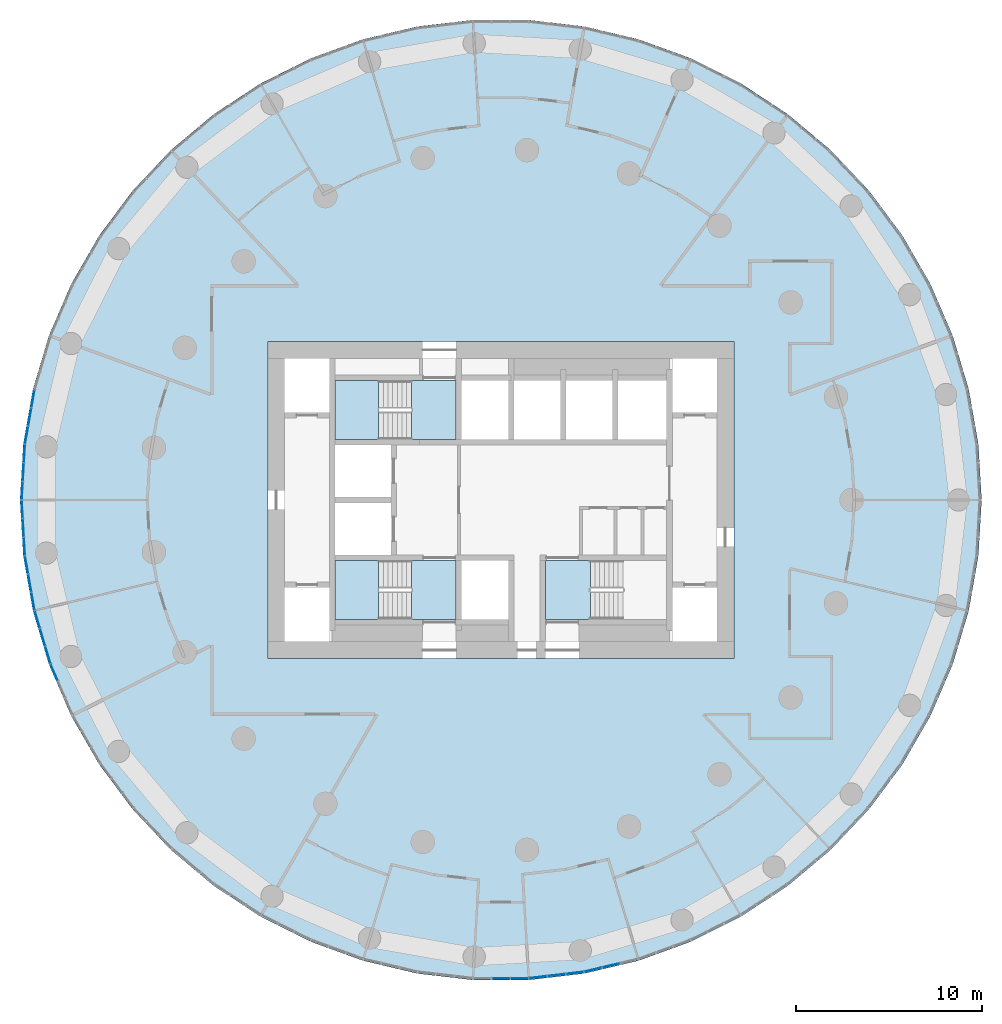
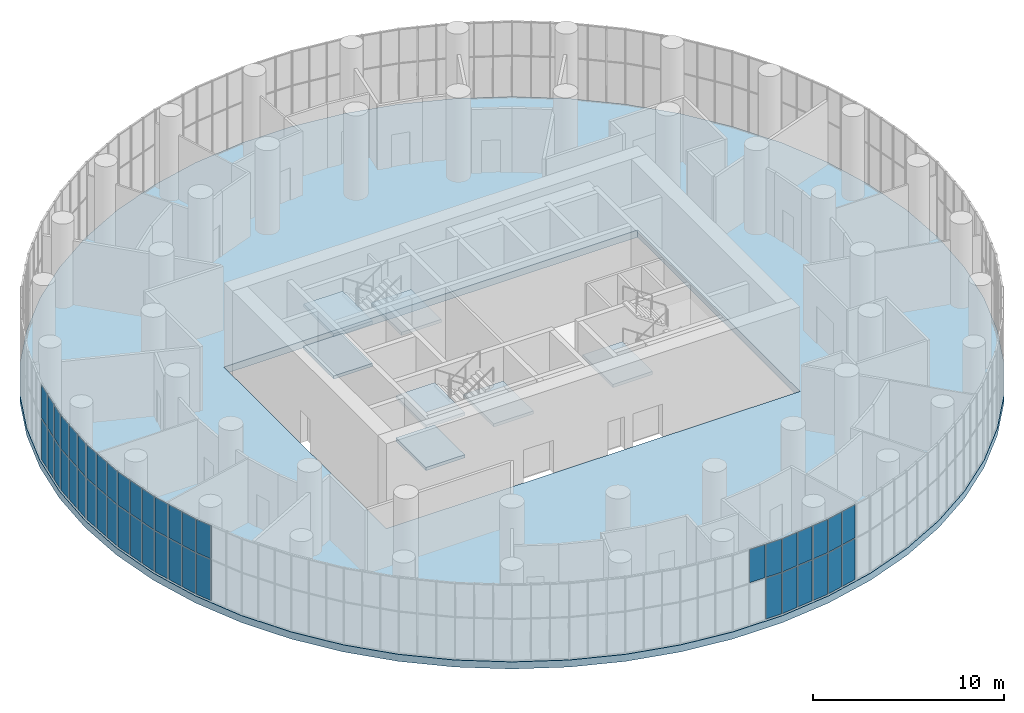
# One storey, part 11 of 21: 45 plates, 8 slabs, 12 elements without a shape of their own.
"""IFC4 building model written with IfcOpenShell, lengths in metres."""

from ifc_helpers import new_model, si_unit, direction, frame, origin, origin_2d, place, context, subcontext, project, spatial, polyline, rectangle, outline, extrude, material, layer, layer_set, type_object, element, aggregate, save


model = new_model("IFC4")

# Units and contexts
model_context = context("Model", 3, precision=1e-05, world=origin(), true_north=direction((0.0, 1.0)))
body_context = subcontext(model_context, "Body", "Model", "MODEL_VIEW")
ifc_project = project(units=[si_unit("LENGTHUNIT", "METRE"), si_unit("AREAUNIT", "SQUARE_METRE"), si_unit("VOLUMEUNIT", "CUBIC_METRE"), si_unit("PLANEANGLEUNIT", "RADIAN"), si_unit("MASSUNIT", "GRAM", prefix="KILO")], contexts=[model_context])

# Site, building, storey
site_placement = place(None, origin())
site = spatial("IfcSite", under=ifc_project, at=site_placement, CompositionType="ELEMENT")
building_placement = place(site_placement, origin())
building = spatial("IfcBuilding", under=site, at=building_placement, Name="Tracery Tower", CompositionType="ELEMENT")
storey_placement = place(building_placement, frame((0.0, 0.0, 219.60009765625)))
storey = spatial("IfcBuildingStorey", under=building, at=storey_placement, Name="L57", CompositionType="ELEMENT", Elevation=219.60009765625)

# Slab
ifc_material_1 = material(Name="Concrete C50/60", Category="concrete")
ifc_layer_1 = layer(ifc_material_1, 0.449951171875)
ifc_layer_set_1 = layer_set([ifc_layer_1], Name="Floor slab 450")
slab_type_1 = type_object("IfcSlabType", Name="Floor slab 450", PredefinedType="FLOOR", material=ifc_layer_set_1)
slab_1_placement = place(storey_placement, frame((0.0, 0.0, -0.4501953125)))
element("IfcSlab", 1, at=slab_1_placement, inside=storey, type_object=slab_type_1, Name="Floor slab L57", PredefinedType="FLOOR", context=body_context, shape_type="SweptSolid", body=[
    extrude(outline(polyline([(25.797607421875, 0.0), (25.623291015625, 2.994873046875), (25.102294921875, 5.949462890625), (24.241943359375, 8.8232421875), (23.0537109375, 11.577880859375), (21.5537109375, 14.176025390625), (19.76220703125, 16.58251953125), (17.70361328125, 18.7646484375), (15.4052734375, 20.69287109375), (12.89892578125, 22.341552734375), (10.218017578125, 23.68798828125), (7.39892578125, 24.7138671875), (4.479736328125, 25.40576171875), (1.5, 25.754150390625), (-1.5, 25.754150390625), (-4.479736328125, 25.40576171875), (-7.39892578125, 24.7138671875), (-10.218017578125, 23.68798828125), (-12.898681640625, 22.341552734375), (-15.4052734375, 20.69287109375), (-17.70361328125, 18.7646484375), (-19.76220703125, 16.58251953125), (-21.5537109375, 14.176025390625), (-23.0537109375, 11.577880859375), (-24.241943359375, 8.8232421875), (-25.102294921875, 5.949462890625), (-25.623291015625, 2.994873046875), (-25.797607421875, 0.0), (-25.623291015625, -2.994873046875), (-25.102294921875, -5.949462890625), (-24.241943359375, -8.8232421875), (-23.0537109375, -11.577880859375), (-21.5537109375, -14.176025390625), (-19.76220703125, -16.58251953125), (-17.70361328125, -18.7646484375), (-15.4052734375, -20.69287109375), (-12.89892578125, -22.341552734375), (-10.218017578125, -23.68798828125), (-7.39892578125, -24.7138671875), (-4.479736328125, -25.40576171875), (-1.5, -25.754150390625), (1.5, -25.754150390625), (4.479736328125, -25.40576171875), (7.39892578125, -24.7138671875), (10.218017578125, -23.68798828125), (12.89892578125, -22.341552734375), (15.4052734375, -20.69287109375), (17.70361328125, -18.7646484375), (19.76220703125, -16.58251953125), (21.5537109375, -14.176025390625), (23.0537109375, -11.577880859375), (24.241943359375, -8.8232421875), (25.102294921875, -5.949462890625), (25.623291015625, -2.994873046875), (25.797607421875, 0.0)]), holes=[polyline([(-12.5, -8.5), (12.5, -8.5), (12.5, 8.5), (-12.5, 8.5), (-12.5, -8.5)])]), origin(), (0.0, 0.0, 1.0), 0.4501953125),
])

# Curtain wall, plates
ifc_material_2 = material(Name="Aluminium curtain wall with tinted glass", Category="aluminium")
ifc_layer_2 = layer(ifc_material_2, 0.159912109375)
ifc_layer_set_2 = layer_set([ifc_layer_2], Name="Sky lounge 2 tracery curtain wall")
curtain_wall_type = type_object("IfcCurtainWallType", Name="Sky lounge 2 tracery curtain wall", PredefinedType="NOTDEFINED", material=ifc_layer_set_2)
curtain_wall_1_placement = place(storey_placement, origin())
curtain_wall_1 = element("IfcCurtainWall", 2, at=curtain_wall_1_placement, inside=storey, type_object=curtain_wall_type, Name="Sky lounge 2 curtain wall run 26", PredefinedType="NOTDEFINED")
ifc_material_3 = material(Name="Tinted laminated glass", Category="glass")
ifc_layer_3 = layer(ifc_material_3, 0.028076171875)
ifc_layer_set_3 = layer_set([ifc_layer_3], Name="Sky lounge 2 glass panel 28")
plate_type = type_object("IfcPlateType", Name="Sky lounge 2 glass panel 28", PredefinedType="CURTAIN_PANEL", material=ifc_layer_set_3)
plate_1_placement = place(storey_placement, frame((-25.10107421875, 5.43798828125, 0.06005859375), z_axis=(0.0, 0.0, 1.0), x_axis=(-0.173648177667, -0.984807753012, 0.0)))
plate_1 = element("IfcPlate", 3, at=plate_1_placement, type_object=plate_type, Name="Sky lounge 2 curtain wall run 26 glass panel 1", PredefinedType="CURTAIN_PANEL", context=body_context, shape_type="SweptSolid", body=[
    extrude(rectangle(XDim=0.9365234375, YDim=0.028076171875, at=origin_2d()), origin(), (0.0, 0.0, 1.0), 2.610107421875),
])
plate_2_placement = place(storey_placement, frame((-25.10107421875, 5.43798828125, 2.72998046875), z_axis=(0.0, 0.0, 1.0), x_axis=(-0.173648177667, -0.984807753012, 0.0)))
plate_2 = element("IfcPlate", 4, at=plate_2_placement, type_object=plate_type, Name="Sky lounge 2 curtain wall run 26 glass panel 2", PredefinedType="CURTAIN_PANEL", context=body_context, shape_type="SweptSolid", body=[
    extrude(rectangle(XDim=0.9365234375, YDim=0.028076171875, at=origin_2d()), origin(), (0.0, 0.0, 1.0), 2.110107421875),
])
plate_3_placement = place(storey_placement, frame((-25.274169921875, 4.45654296875, 0.06005859375), z_axis=(0.0, 0.0, 1.0), x_axis=(-0.173648177667, -0.984807753012, 0.0)))
plate_3 = element("IfcPlate", 5, at=plate_3_placement, type_object=plate_type, Name="Sky lounge 2 curtain wall run 26 glass panel 3", PredefinedType="CURTAIN_PANEL", context=body_context, shape_type="SweptSolid", body=[
    extrude(rectangle(XDim=0.9365234375, YDim=0.028076171875, at=origin_2d()), origin(), (0.0, 0.0, 1.0), 2.610107421875),
])
plate_4_placement = place(storey_placement, frame((-25.274169921875, 4.45654296875, 2.72998046875), z_axis=(0.0, 0.0, 1.0), x_axis=(-0.173648177667, -0.984807753012, 0.0)))
plate_4 = element("IfcPlate", 6, at=plate_4_placement, type_object=plate_type, Name="Sky lounge 2 curtain wall run 26 glass panel 4", PredefinedType="CURTAIN_PANEL", context=body_context, shape_type="SweptSolid", body=[
    extrude(rectangle(XDim=0.9365234375, YDim=0.028076171875, at=origin_2d()), origin(), (0.0, 0.0, 1.0), 2.110107421875),
])
plate_5_placement = place(storey_placement, frame((-25.447265625, 3.47509765625, 0.06005859375), z_axis=(0.0, 0.0, 1.0), x_axis=(-0.173648177667, -0.984807753012, 0.0)))
plate_5 = element("IfcPlate", 7, at=plate_5_placement, type_object=plate_type, Name="Sky lounge 2 curtain wall run 26 glass panel 5", PredefinedType="CURTAIN_PANEL", context=body_context, shape_type="SweptSolid", body=[
    extrude(rectangle(XDim=0.9365234375, YDim=0.028076171875, at=origin_2d()), origin(), (0.0, 0.0, 1.0), 2.610107421875),
])
plate_6_placement = place(storey_placement, frame((-25.447265625, 3.47509765625, 2.72998046875), z_axis=(0.0, 0.0, 1.0), x_axis=(-0.173648177667, -0.984807753012, 0.0)))
plate_6 = element("IfcPlate", 8, at=plate_6_placement, type_object=plate_type, Name="Sky lounge 2 curtain wall run 26 glass panel 6", PredefinedType="CURTAIN_PANEL", context=body_context, shape_type="SweptSolid", body=[
    extrude(rectangle(XDim=0.9365234375, YDim=0.028076171875, at=origin_2d()), origin(), (0.0, 0.0, 1.0), 2.110107421875),
])
aggregate(curtain_wall_1, [plate_1, plate_2, plate_3, plate_4, plate_5, plate_6])

curtain_wall_2_placement = place(storey_placement, origin())
curtain_wall_2 = element("IfcCurtainWall", 9, at=curtain_wall_2_placement, inside=storey, type_object=curtain_wall_type, Name="Sky lounge 2 curtain wall run 27", PredefinedType="NOTDEFINED")
plate_7_placement = place(storey_placement, frame((-25.562744140625, 2.487060546875, 0.06005859375), z_axis=(0.0, 0.0, 1.0), x_axis=(-0.058144828905, -0.998308158272, 0.0)))
plate_7 = element("IfcPlate", 10, at=plate_7_placement, type_object=plate_type, Name="Sky lounge 2 curtain wall run 27 glass panel 1", PredefinedType="CURTAIN_PANEL", context=body_context, shape_type="SweptSolid", body=[
    extrude(rectangle(XDim=0.9365234375, YDim=0.028076171875, at=origin_2d()), origin(), (0.0, 0.0, 1.0), 2.610107421875),
])
plate_8_placement = place(storey_placement, frame((-25.562744140625, 2.487060546875, 2.72998046875), z_axis=(0.0, 0.0, 1.0), x_axis=(-0.058144828905, -0.998308158272, 0.0)))
plate_8 = element("IfcPlate", 11, at=plate_8_placement, type_object=plate_type, Name="Sky lounge 2 curtain wall run 27 glass panel 2", PredefinedType="CURTAIN_PANEL", context=body_context, shape_type="SweptSolid", body=[
    extrude(rectangle(XDim=0.9365234375, YDim=0.028076171875, at=origin_2d()), origin(), (0.0, 0.0, 1.0), 2.110107421875),
])
plate_9_placement = place(storey_placement, frame((-25.62060546875, 1.4921875, 0.06005859375), z_axis=(0.0, 0.0, 1.0), x_axis=(-0.058144828905, -0.998308158272, 0.0)))
plate_9 = element("IfcPlate", 12, at=plate_9_placement, type_object=plate_type, Name="Sky lounge 2 curtain wall run 27 glass panel 3", PredefinedType="CURTAIN_PANEL", context=body_context, shape_type="SweptSolid", body=[
    extrude(rectangle(XDim=0.9365234375, YDim=0.028076171875, at=origin_2d()), origin(), (0.0, 0.0, 1.0), 2.610107421875),
])
plate_10_placement = place(storey_placement, frame((-25.62060546875, 1.4921875, 2.72998046875), z_axis=(0.0, 0.0, 1.0), x_axis=(-0.058144828905, -0.998308158272, 0.0)))
plate_10 = element("IfcPlate", 13, at=plate_10_placement, type_object=plate_type, Name="Sky lounge 2 curtain wall run 27 glass panel 4", PredefinedType="CURTAIN_PANEL", context=body_context, shape_type="SweptSolid", body=[
    extrude(rectangle(XDim=0.9365234375, YDim=0.028076171875, at=origin_2d()), origin(), (0.0, 0.0, 1.0), 2.110107421875),
])
plate_11_placement = place(storey_placement, frame((-25.678466796875, 0.497314453125, 0.06005859375), z_axis=(0.0, 0.0, 1.0), x_axis=(-0.058144828905, -0.998308158272, 0.0)))
plate_11 = element("IfcPlate", 14, at=plate_11_placement, type_object=plate_type, Name="Sky lounge 2 curtain wall run 27 glass panel 5", PredefinedType="CURTAIN_PANEL", context=body_context, shape_type="SweptSolid", body=[
    extrude(rectangle(XDim=0.9365234375, YDim=0.028076171875, at=origin_2d()), origin(), (0.0, 0.0, 1.0), 2.610107421875),
])
plate_12_placement = place(storey_placement, frame((-25.678466796875, 0.497314453125, 2.72998046875), z_axis=(0.0, 0.0, 1.0), x_axis=(-0.058144828905, -0.998308158272, 0.0)))
plate_12 = element("IfcPlate", 15, at=plate_12_placement, type_object=plate_type, Name="Sky lounge 2 curtain wall run 27 glass panel 6", PredefinedType="CURTAIN_PANEL", context=body_context, shape_type="SweptSolid", body=[
    extrude(rectangle(XDim=0.9365234375, YDim=0.028076171875, at=origin_2d()), origin(), (0.0, 0.0, 1.0), 2.110107421875),
])
aggregate(curtain_wall_2, [plate_7, plate_8, plate_9, plate_10, plate_11, plate_12])

curtain_wall_3_placement = place(storey_placement, origin())
curtain_wall_3 = element("IfcCurtainWall", 16, at=curtain_wall_3_placement, inside=storey, type_object=curtain_wall_type, Name="Sky lounge 2 curtain wall run 28", PredefinedType="NOTDEFINED")
plate_13_placement = place(storey_placement, frame((-25.678466796875, -0.497314453125, 0.06005859375), z_axis=(0.0, 0.0, 1.0), x_axis=(0.058144828905, -0.998308158272, 0.0)))
plate_13 = element("IfcPlate", 17, at=plate_13_placement, type_object=plate_type, Name="Sky lounge 2 curtain wall run 28 glass panel 1", PredefinedType="CURTAIN_PANEL", context=body_context, shape_type="SweptSolid", body=[
    extrude(rectangle(XDim=0.9365234375, YDim=0.028076171875, at=origin_2d()), origin(), (0.0, 0.0, 1.0), 2.610107421875),
])
plate_14_placement = place(storey_placement, frame((-25.678466796875, -0.497314453125, 2.72998046875), z_axis=(0.0, 0.0, 1.0), x_axis=(0.058144828905, -0.998308158272, 0.0)))
plate_14 = element("IfcPlate", 18, at=plate_14_placement, type_object=plate_type, Name="Sky lounge 2 curtain wall run 28 glass panel 2", PredefinedType="CURTAIN_PANEL", context=body_context, shape_type="SweptSolid", body=[
    extrude(rectangle(XDim=0.9365234375, YDim=0.028076171875, at=origin_2d()), origin(), (0.0, 0.0, 1.0), 2.110107421875),
])
plate_15_placement = place(storey_placement, frame((-25.62060546875, -1.4921875, 0.06005859375), z_axis=(0.0, 0.0, 1.0), x_axis=(0.058144828905, -0.998308158272, 0.0)))
plate_15 = element("IfcPlate", 19, at=plate_15_placement, type_object=plate_type, Name="Sky lounge 2 curtain wall run 28 glass panel 3", PredefinedType="CURTAIN_PANEL", context=body_context, shape_type="SweptSolid", body=[
    extrude(rectangle(XDim=0.9365234375, YDim=0.028076171875, at=origin_2d()), origin(), (0.0, 0.0, 1.0), 2.610107421875),
])
plate_16_placement = place(storey_placement, frame((-25.62060546875, -1.4921875, 2.72998046875), z_axis=(0.0, 0.0, 1.0), x_axis=(0.058144828905, -0.998308158272, 0.0)))
plate_16 = element("IfcPlate", 20, at=plate_16_placement, type_object=plate_type, Name="Sky lounge 2 curtain wall run 28 glass panel 4", PredefinedType="CURTAIN_PANEL", context=body_context, shape_type="SweptSolid", body=[
    extrude(rectangle(XDim=0.9365234375, YDim=0.028076171875, at=origin_2d()), origin(), (0.0, 0.0, 1.0), 2.110107421875),
])
plate_17_placement = place(storey_placement, frame((-25.562744140625, -2.487060546875, 0.06005859375), z_axis=(0.0, 0.0, 1.0), x_axis=(0.058144828905, -0.998308158272, 0.0)))
plate_17 = element("IfcPlate", 21, at=plate_17_placement, type_object=plate_type, Name="Sky lounge 2 curtain wall run 28 glass panel 5", PredefinedType="CURTAIN_PANEL", context=body_context, shape_type="SweptSolid", body=[
    extrude(rectangle(XDim=0.9365234375, YDim=0.028076171875, at=origin_2d()), origin(), (0.0, 0.0, 1.0), 2.610107421875),
])
plate_18_placement = place(storey_placement, frame((-25.562744140625, -2.487060546875, 2.72998046875), z_axis=(0.0, 0.0, 1.0), x_axis=(0.058144828905, -0.998308158272, 0.0)))
plate_18 = element("IfcPlate", 22, at=plate_18_placement, type_object=plate_type, Name="Sky lounge 2 curtain wall run 28 glass panel 6", PredefinedType="CURTAIN_PANEL", context=body_context, shape_type="SweptSolid", body=[
    extrude(rectangle(XDim=0.9365234375, YDim=0.028076171875, at=origin_2d()), origin(), (0.0, 0.0, 1.0), 2.110107421875),
])
aggregate(curtain_wall_3, [plate_13, plate_14, plate_15, plate_16, plate_17, plate_18])

curtain_wall_4_placement = place(storey_placement, origin())
curtain_wall_4 = element("IfcCurtainWall", 23, at=curtain_wall_4_placement, inside=storey, type_object=curtain_wall_type, Name="Sky lounge 2 curtain wall run 29", PredefinedType="NOTDEFINED")
plate_19_placement = place(storey_placement, frame((-25.447265625, -3.47509765625, 0.06005859375), z_axis=(0.0, 0.0, 1.0), x_axis=(0.173648177667, -0.984807753012, 0.0)))
plate_19 = element("IfcPlate", 24, at=plate_19_placement, type_object=plate_type, Name="Sky lounge 2 curtain wall run 29 glass panel 1", PredefinedType="CURTAIN_PANEL", context=body_context, shape_type="SweptSolid", body=[
    extrude(rectangle(XDim=0.9365234375, YDim=0.028076171875, at=origin_2d()), origin(), (0.0, 0.0, 1.0), 2.610107421875),
])
plate_20_placement = place(storey_placement, frame((-25.447265625, -3.47509765625, 2.72998046875), z_axis=(0.0, 0.0, 1.0), x_axis=(0.173648177667, -0.984807753012, 0.0)))
plate_20 = element("IfcPlate", 25, at=plate_20_placement, type_object=plate_type, Name="Sky lounge 2 curtain wall run 29 glass panel 2", PredefinedType="CURTAIN_PANEL", context=body_context, shape_type="SweptSolid", body=[
    extrude(rectangle(XDim=0.9365234375, YDim=0.028076171875, at=origin_2d()), origin(), (0.0, 0.0, 1.0), 2.110107421875),
])
plate_21_placement = place(storey_placement, frame((-25.274169921875, -4.45654296875, 0.06005859375), z_axis=(0.0, 0.0, 1.0), x_axis=(0.173648177667, -0.984807753012, 0.0)))
plate_21 = element("IfcPlate", 26, at=plate_21_placement, type_object=plate_type, Name="Sky lounge 2 curtain wall run 29 glass panel 3", PredefinedType="CURTAIN_PANEL", context=body_context, shape_type="SweptSolid", body=[
    extrude(rectangle(XDim=0.9365234375, YDim=0.028076171875, at=origin_2d()), origin(), (0.0, 0.0, 1.0), 2.610107421875),
])
plate_22_placement = place(storey_placement, frame((-25.274169921875, -4.45654296875, 2.72998046875), z_axis=(0.0, 0.0, 1.0), x_axis=(0.173648177667, -0.984807753012, 0.0)))
plate_22 = element("IfcPlate", 27, at=plate_22_placement, type_object=plate_type, Name="Sky lounge 2 curtain wall run 29 glass panel 4", PredefinedType="CURTAIN_PANEL", context=body_context, shape_type="SweptSolid", body=[
    extrude(rectangle(XDim=0.9365234375, YDim=0.028076171875, at=origin_2d()), origin(), (0.0, 0.0, 1.0), 2.110107421875),
])
plate_23_placement = place(storey_placement, frame((-25.10107421875, -5.43798828125, 0.06005859375), z_axis=(0.0, 0.0, 1.0), x_axis=(0.173648177667, -0.984807753012, 0.0)))
plate_23 = element("IfcPlate", 28, at=plate_23_placement, type_object=plate_type, Name="Sky lounge 2 curtain wall run 29 glass panel 5", PredefinedType="CURTAIN_PANEL", context=body_context, shape_type="SweptSolid", body=[
    extrude(rectangle(XDim=0.9365234375, YDim=0.028076171875, at=origin_2d()), origin(), (0.0, 0.0, 1.0), 2.610107421875),
])
plate_24_placement = place(storey_placement, frame((-25.10107421875, -5.43798828125, 2.72998046875), z_axis=(0.0, 0.0, 1.0), x_axis=(0.173648177667, -0.984807753012, 0.0)))
plate_24 = element("IfcPlate", 29, at=plate_24_placement, type_object=plate_type, Name="Sky lounge 2 curtain wall run 29 glass panel 6", PredefinedType="CURTAIN_PANEL", context=body_context, shape_type="SweptSolid", body=[
    extrude(rectangle(XDim=0.9365234375, YDim=0.028076171875, at=origin_2d()), origin(), (0.0, 0.0, 1.0), 2.110107421875),
])
aggregate(curtain_wall_4, [plate_19, plate_20, plate_21, plate_22, plate_23, plate_24])

curtain_wall_5_placement = place(storey_placement, origin())
curtain_wall_5 = element("IfcCurtainWall", 30, at=curtain_wall_5_placement, inside=storey, type_object=curtain_wall_type, Name="Sky lounge 2 curtain wall run 30", PredefinedType="NOTDEFINED")
plate_25_placement = place(storey_placement, frame((-24.87158203125, -6.406005859375, 0.06005859375), z_axis=(0.0, 0.0, 1.0), x_axis=(0.286803232717, -0.957989512314, 0.0)))
plate_25 = element("IfcPlate", 31, at=plate_25_placement, type_object=plate_type, Name="Sky lounge 2 curtain wall run 30 glass panel 1", PredefinedType="CURTAIN_PANEL", context=body_context, shape_type="SweptSolid", body=[
    extrude(rectangle(XDim=0.9365234375, YDim=0.028076171875, at=origin_2d()), origin(), (0.0, 0.0, 1.0), 2.610107421875),
])
plate_26_placement = place(storey_placement, frame((-24.87158203125, -6.406005859375, 2.72998046875), z_axis=(0.0, 0.0, 1.0), x_axis=(0.286803232717, -0.957989512314, 0.0)))
plate_26 = element("IfcPlate", 32, at=plate_26_placement, type_object=plate_type, Name="Sky lounge 2 curtain wall run 30 glass panel 2", PredefinedType="CURTAIN_PANEL", context=body_context, shape_type="SweptSolid", body=[
    extrude(rectangle(XDim=0.9365234375, YDim=0.028076171875, at=origin_2d()), origin(), (0.0, 0.0, 1.0), 2.110107421875),
])
plate_27_placement = place(storey_placement, frame((-24.5859375, -7.360595703125, 0.06005859375), z_axis=(0.0, 0.0, 1.0), x_axis=(0.286803232717, -0.957989512314, 0.0)))
plate_27 = element("IfcPlate", 33, at=plate_27_placement, type_object=plate_type, Name="Sky lounge 2 curtain wall run 30 glass panel 3", PredefinedType="CURTAIN_PANEL", context=body_context, shape_type="SweptSolid", body=[
    extrude(rectangle(XDim=0.9365234375, YDim=0.028076171875, at=origin_2d()), origin(), (0.0, 0.0, 1.0), 2.610107421875),
])
plate_28_placement = place(storey_placement, frame((-24.5859375, -7.360595703125, 2.72998046875), z_axis=(0.0, 0.0, 1.0), x_axis=(0.286803232717, -0.957989512314, 0.0)))
plate_28 = element("IfcPlate", 34, at=plate_28_placement, type_object=plate_type, Name="Sky lounge 2 curtain wall run 30 glass panel 4", PredefinedType="CURTAIN_PANEL", context=body_context, shape_type="SweptSolid", body=[
    extrude(rectangle(XDim=0.9365234375, YDim=0.028076171875, at=origin_2d()), origin(), (0.0, 0.0, 1.0), 2.110107421875),
])
plate_29_placement = place(storey_placement, frame((-24.300048828125, -8.315185546875, 0.06005859375), z_axis=(0.0, 0.0, 1.0), x_axis=(0.286803232717, -0.957989512314, 0.0)))
plate_29 = element("IfcPlate", 35, at=plate_29_placement, type_object=plate_type, Name="Sky lounge 2 curtain wall run 30 glass panel 5", PredefinedType="CURTAIN_PANEL", context=body_context, shape_type="SweptSolid", body=[
    extrude(rectangle(XDim=0.9365234375, YDim=0.028076171875, at=origin_2d()), origin(), (0.0, 0.0, 1.0), 2.610107421875),
])
plate_30_placement = place(storey_placement, frame((-24.300048828125, -8.315185546875, 2.72998046875), z_axis=(0.0, 0.0, 1.0), x_axis=(0.286803232717, -0.957989512314, 0.0)))
plate_30 = element("IfcPlate", 36, at=plate_30_placement, type_object=plate_type, Name="Sky lounge 2 curtain wall run 30 glass panel 6", PredefinedType="CURTAIN_PANEL", context=body_context, shape_type="SweptSolid", body=[
    extrude(rectangle(XDim=0.9365234375, YDim=0.028076171875, at=origin_2d()), origin(), (0.0, 0.0, 1.0), 2.110107421875),
])
aggregate(curtain_wall_5, [plate_25, plate_26, plate_27, plate_28, plate_29, plate_30])

curtain_wall_6_placement = place(storey_placement, origin())
curtain_wall_6 = element("IfcCurtainWall", 37, at=curtain_wall_6_placement, inside=storey, type_object=curtain_wall_type, Name="Sky lounge 2 curtain wall run 31", PredefinedType="NOTDEFINED")
plate_31_placement = place(storey_placement, frame((-23.9599609375, -9.25, 0.06005859375), z_axis=(0.0, 0.0, 1.0), x_axis=(0.396079766034, -0.918216106883, 0.0)))
plate_31 = element("IfcPlate", 38, at=plate_31_placement, type_object=plate_type, Name="Sky lounge 2 curtain wall run 31 glass panel 1", PredefinedType="CURTAIN_PANEL", context=body_context, shape_type="SweptSolid", body=[
    extrude(rectangle(XDim=0.9365234375, YDim=0.028076171875, at=origin_2d()), origin(), (0.0, 0.0, 1.0), 2.610107421875),
])
plate_32_placement = place(storey_placement, frame((-23.9599609375, -9.25, 2.72998046875), z_axis=(0.0, 0.0, 1.0), x_axis=(0.396079766034, -0.918216106883, 0.0)))
plate_32 = element("IfcPlate", 39, at=plate_32_placement, type_object=plate_type, Name="Sky lounge 2 curtain wall run 31 glass panel 2", PredefinedType="CURTAIN_PANEL", context=body_context, shape_type="SweptSolid", body=[
    extrude(rectangle(XDim=0.9365234375, YDim=0.028076171875, at=origin_2d()), origin(), (0.0, 0.0, 1.0), 2.110107421875),
])
aggregate(curtain_wall_6, [plate_31, plate_32])

curtain_wall_7_placement = place(storey_placement, origin())
curtain_wall_7 = element("IfcCurtainWall", 40, at=curtain_wall_7_placement, inside=storey, type_object=curtain_wall_type, Name="Sky lounge 2 curtain wall run 41", PredefinedType="NOTDEFINED")
plate_33_placement = place(storey_placement, frame((0.0, -25.6640625, 2.72998046875), z_axis=(0.0, 0.0, 1.0), x_axis=(1.0, 0.0, 0.0)))
plate_33 = element("IfcPlate", 41, at=plate_33_placement, type_object=plate_type, Name="Sky lounge 2 curtain wall run 41 glass panel 4", PredefinedType="CURTAIN_PANEL", context=body_context, shape_type="SweptSolid", body=[
    extrude(rectangle(XDim=0.9365234375, YDim=0.028076171875, at=origin_2d()), origin(), (0.0, 0.0, 1.0), 2.110107421875),
])
plate_34_placement = place(storey_placement, frame((0.99658203125, -25.6640625, 0.06005859375), z_axis=(0.0, 0.0, 1.0), x_axis=(1.0, 0.0, 0.0)))
plate_34 = element("IfcPlate", 42, at=plate_34_placement, type_object=plate_type, Name="Sky lounge 2 curtain wall run 41 glass panel 5", PredefinedType="CURTAIN_PANEL", context=body_context, shape_type="SweptSolid", body=[
    extrude(rectangle(XDim=0.9365234375, YDim=0.028076171875, at=origin_2d()), origin(), (0.0, 0.0, 1.0), 2.610107421875),
])
plate_35_placement = place(storey_placement, frame((0.99658203125, -25.6640625, 2.72998046875), z_axis=(0.0, 0.0, 1.0), x_axis=(1.0, 0.0, 0.0)))
plate_35 = element("IfcPlate", 43, at=plate_35_placement, type_object=plate_type, Name="Sky lounge 2 curtain wall run 41 glass panel 6", PredefinedType="CURTAIN_PANEL", context=body_context, shape_type="SweptSolid", body=[
    extrude(rectangle(XDim=0.9365234375, YDim=0.028076171875, at=origin_2d()), origin(), (0.0, 0.0, 1.0), 2.110107421875),
])
aggregate(curtain_wall_7, [plate_33, plate_34, plate_35])

curtain_wall_8_placement = place(storey_placement, origin())
curtain_wall_8 = element("IfcCurtainWall", 44, at=curtain_wall_8_placement, inside=storey, type_object=curtain_wall_type, Name="Sky lounge 2 curtain wall run 42", PredefinedType="NOTDEFINED")
plate_36_placement = place(storey_placement, frame((1.98974609375, -25.606201171875, 0.06005859375), z_axis=(0.0, 0.0, 1.0), x_axis=(0.993238357741, 0.116092914131, 0.0)))
plate_36 = element("IfcPlate", 45, at=plate_36_placement, type_object=plate_type, Name="Sky lounge 2 curtain wall run 42 glass panel 1", PredefinedType="CURTAIN_PANEL", context=body_context, shape_type="SweptSolid", body=[
    extrude(rectangle(XDim=0.9365234375, YDim=0.028076171875, at=origin_2d()), origin(), (0.0, 0.0, 1.0), 2.610107421875),
])
plate_37_placement = place(storey_placement, frame((1.98974609375, -25.606201171875, 2.72998046875), z_axis=(0.0, 0.0, 1.0), x_axis=(0.993238357741, 0.116092914131, 0.0)))
plate_37 = element("IfcPlate", 46, at=plate_37_placement, type_object=plate_type, Name="Sky lounge 2 curtain wall run 42 glass panel 2", PredefinedType="CURTAIN_PANEL", context=body_context, shape_type="SweptSolid", body=[
    extrude(rectangle(XDim=0.9365234375, YDim=0.028076171875, at=origin_2d()), origin(), (0.0, 0.0, 1.0), 2.110107421875),
])
plate_38_placement = place(storey_placement, frame((2.9794921875, -25.490478515625, 0.06005859375), z_axis=(0.0, 0.0, 1.0), x_axis=(0.993238357741, 0.116092914131, 0.0)))
plate_38 = element("IfcPlate", 47, at=plate_38_placement, type_object=plate_type, Name="Sky lounge 2 curtain wall run 42 glass panel 3", PredefinedType="CURTAIN_PANEL", context=body_context, shape_type="SweptSolid", body=[
    extrude(rectangle(XDim=0.9365234375, YDim=0.028076171875, at=origin_2d()), origin(), (0.0, 0.0, 1.0), 2.610107421875),
])
plate_39_placement = place(storey_placement, frame((2.9794921875, -25.490478515625, 2.72998046875), z_axis=(0.0, 0.0, 1.0), x_axis=(0.993238357741, 0.116092914131, 0.0)))
plate_39 = element("IfcPlate", 48, at=plate_39_placement, type_object=plate_type, Name="Sky lounge 2 curtain wall run 42 glass panel 4", PredefinedType="CURTAIN_PANEL", context=body_context, shape_type="SweptSolid", body=[
    extrude(rectangle(XDim=0.9365234375, YDim=0.028076171875, at=origin_2d()), origin(), (0.0, 0.0, 1.0), 2.110107421875),
])
plate_40_placement = place(storey_placement, frame((3.96923828125, -25.374755859375, 0.06005859375), z_axis=(0.0, 0.0, 1.0), x_axis=(0.993238357741, 0.116092914131, 0.0)))
plate_40 = element("IfcPlate", 49, at=plate_40_placement, type_object=plate_type, Name="Sky lounge 2 curtain wall run 42 glass panel 5", PredefinedType="CURTAIN_PANEL", context=body_context, shape_type="SweptSolid", body=[
    extrude(rectangle(XDim=0.9365234375, YDim=0.028076171875, at=origin_2d()), origin(), (0.0, 0.0, 1.0), 2.610107421875),
])
plate_41_placement = place(storey_placement, frame((3.96923828125, -25.374755859375, 2.72998046875), z_axis=(0.0, 0.0, 1.0), x_axis=(0.993238357741, 0.116092914131, 0.0)))
plate_41 = element("IfcPlate", 50, at=plate_41_placement, type_object=plate_type, Name="Sky lounge 2 curtain wall run 42 glass panel 6", PredefinedType="CURTAIN_PANEL", context=body_context, shape_type="SweptSolid", body=[
    extrude(rectangle(XDim=0.9365234375, YDim=0.028076171875, at=origin_2d()), origin(), (0.0, 0.0, 1.0), 2.110107421875),
])
aggregate(curtain_wall_8, [plate_36, plate_37, plate_38, plate_39, plate_40, plate_41])

curtain_wall_9_placement = place(storey_placement, origin())
curtain_wall_9 = element("IfcCurtainWall", 51, at=curtain_wall_9_placement, inside=storey, type_object=curtain_wall_type, Name="Sky lounge 2 curtain wall run 43", PredefinedType="NOTDEFINED")
plate_42_placement = place(storey_placement, frame((4.948974609375, -25.2021484375, 0.06005859375), z_axis=(0.0, 0.0, 1.0), x_axis=(0.973044870581, 0.230615870737, 0.0)))
plate_42 = element("IfcPlate", 52, at=plate_42_placement, type_object=plate_type, Name="Sky lounge 2 curtain wall run 43 glass panel 1", PredefinedType="CURTAIN_PANEL", context=body_context, shape_type="SweptSolid", body=[
    extrude(rectangle(XDim=0.9365234375, YDim=0.028076171875, at=origin_2d()), origin(), (0.0, 0.0, 1.0), 2.610107421875),
])
plate_43_placement = place(storey_placement, frame((4.948974609375, -25.2021484375, 2.72998046875), z_axis=(0.0, 0.0, 1.0), x_axis=(0.973044870581, 0.230615870737, 0.0)))
plate_43 = element("IfcPlate", 53, at=plate_43_placement, type_object=plate_type, Name="Sky lounge 2 curtain wall run 43 glass panel 2", PredefinedType="CURTAIN_PANEL", context=body_context, shape_type="SweptSolid", body=[
    extrude(rectangle(XDim=0.9365234375, YDim=0.028076171875, at=origin_2d()), origin(), (0.0, 0.0, 1.0), 2.110107421875),
])
plate_44_placement = place(storey_placement, frame((5.91845703125, -24.97216796875, 0.06005859375), z_axis=(0.0, 0.0, 1.0), x_axis=(0.973044870581, 0.230615870737, 0.0)))
plate_44 = element("IfcPlate", 54, at=plate_44_placement, type_object=plate_type, Name="Sky lounge 2 curtain wall run 43 glass panel 3", PredefinedType="CURTAIN_PANEL", context=body_context, shape_type="SweptSolid", body=[
    extrude(rectangle(XDim=0.9365234375, YDim=0.028076171875, at=origin_2d()), origin(), (0.0, 0.0, 1.0), 2.610107421875),
])
plate_45_placement = place(storey_placement, frame((5.91845703125, -24.97216796875, 2.72998046875), z_axis=(0.0, 0.0, 1.0), x_axis=(0.973044870581, 0.230615870737, 0.0)))
plate_45 = element("IfcPlate", 55, at=plate_45_placement, type_object=plate_type, Name="Sky lounge 2 curtain wall run 43 glass panel 4", PredefinedType="CURTAIN_PANEL", context=body_context, shape_type="SweptSolid", body=[
    extrude(rectangle(XDim=0.9365234375, YDim=0.028076171875, at=origin_2d()), origin(), (0.0, 0.0, 1.0), 2.110107421875),
])
aggregate(curtain_wall_9, [plate_42, plate_43, plate_44, plate_45])

# Stair, slabs
ifc_material_4 = material(Name="Concrete C32/40", Category="concrete")
stair_type = type_object("IfcStairType", Name="Core stair 32 risers", PredefinedType="HALF_TURN_STAIR", material=ifc_material_4)
stair_1_placement = place(storey_placement, origin())
stair_1 = element("IfcStair", 56, at=stair_1_placement, inside=storey, type_object=stair_type, Name="L57 stair ST1", PredefinedType="HALF_TURN_STAIR")
ifc_material_5 = material(Name="Concrete C32/40", Category="concrete")
ifc_layer_4 = layer(ifc_material_5, 0.199951171875)
ifc_layer_set_4 = layer_set([ifc_layer_4], Name="Stair landing slab 200")
slab_type_2 = type_object("IfcSlabType", Name="Stair landing slab 200", PredefinedType="LANDING", material=ifc_layer_set_4)
slab_2_placement = place(storey_placement, frame((0.0, 0.0, 1.14990234375)))
slab_2 = element("IfcSlab", 57, at=slab_2_placement, type_object=slab_type_2, Name="ST1 landing 1", PredefinedType="LANDING", context=body_context, shape_type="SweptSolid", body=[
    extrude(outline(polyline([(-6.54931640625, -3.25), (-8.89990234375, -3.25), (-8.89990234375, -6.39990234375), (-6.54931640625, -6.39990234375), (-6.54931640625, -3.25)])), origin(), (0.0, 0.0, 1.0), 0.199951171875),
])
slab_3_placement = place(storey_placement, frame((0.0, 0.0, 2.5)))
slab_3 = element("IfcSlab", 58, at=slab_3_placement, type_object=slab_type_2, Name="ST1 landing 2", PredefinedType="LANDING", context=body_context, shape_type="SweptSolid", body=[
    extrude(outline(polyline([(-2.39990234375, -3.25), (-4.800537109375, -3.25), (-4.800537109375, -6.39990234375), (-2.39990234375, -6.39990234375), (-2.39990234375, -3.25)])), origin(), (0.0, 0.0, 1.0), 0.199951171875),
])
slab_4_placement = place(storey_placement, frame((0.0, 0.0, 3.849853515625)))
slab_4 = element("IfcSlab", 59, at=slab_4_placement, type_object=slab_type_2, Name="ST1 landing 3", PredefinedType="LANDING", context=body_context, shape_type="SweptSolid", body=[
    extrude(outline(polyline([(-6.54931640625, -3.25), (-8.89990234375, -3.25), (-8.89990234375, -6.39990234375), (-6.54931640625, -6.39990234375), (-6.54931640625, -3.25)])), origin(), (0.0, 0.0, 1.0), 0.199951171875),
])
aggregate(stair_1, [slab_2, slab_3, slab_4])

stair_2_placement = place(storey_placement, origin())
stair_2 = element("IfcStair", 60, at=stair_2_placement, inside=storey, type_object=stair_type, Name="L57 stair ST3", PredefinedType="HALF_TURN_STAIR")
slab_5_placement = place(storey_placement, frame((0.0, 0.0, 1.14990234375)))
slab_5 = element("IfcSlab", 61, at=slab_5_placement, type_object=slab_type_2, Name="ST3 landing 1", PredefinedType="LANDING", context=body_context, shape_type="SweptSolid", body=[
    extrude(outline(polyline([(-6.54931640625, 6.39990234375), (-8.89990234375, 6.39990234375), (-8.89990234375, 3.25), (-6.54931640625, 3.25), (-6.54931640625, 6.39990234375)])), origin(), (0.0, 0.0, 1.0), 0.199951171875),
])
slab_6_placement = place(storey_placement, frame((0.0, 0.0, 2.5)))
slab_6 = element("IfcSlab", 62, at=slab_6_placement, type_object=slab_type_2, Name="ST3 landing 2", PredefinedType="LANDING", context=body_context, shape_type="SweptSolid", body=[
    extrude(outline(polyline([(-2.39990234375, 6.39990234375), (-4.800537109375, 6.39990234375), (-4.800537109375, 3.25), (-2.39990234375, 3.25), (-2.39990234375, 6.39990234375)])), origin(), (0.0, 0.0, 1.0), 0.199951171875),
])
slab_7_placement = place(storey_placement, frame((0.0, 0.0, 3.849853515625)))
slab_7 = element("IfcSlab", 63, at=slab_7_placement, type_object=slab_type_2, Name="ST3 landing 3", PredefinedType="LANDING", context=body_context, shape_type="SweptSolid", body=[
    extrude(outline(polyline([(-6.54931640625, 6.39990234375), (-8.89990234375, 6.39990234375), (-8.89990234375, 3.25), (-6.54931640625, 3.25), (-6.54931640625, 6.39990234375)])), origin(), (0.0, 0.0, 1.0), 0.199951171875),
])
aggregate(stair_2, [slab_5, slab_6, slab_7])

# Stair, slab
stair_3_placement = place(storey_placement, origin())
stair_3 = element("IfcStair", 64, at=stair_3_placement, inside=storey, type_object=stair_type, Name="L57 stair ST2", PredefinedType="HALF_TURN_STAIR")
slab_8_placement = place(storey_placement, frame((0.0, 0.0, 2.5)))
slab_8 = element("IfcSlab", 65, at=slab_8_placement, type_object=slab_type_2, Name="ST2 landing 2", PredefinedType="LANDING", context=body_context, shape_type="SweptSolid", body=[
    extrude(outline(polyline([(2.39990234375, -6.39990234375), (4.800537109375, -6.39990234375), (4.800537109375, -3.25), (2.39990234375, -3.25), (2.39990234375, -6.39990234375)])), origin(), (0.0, 0.0, 1.0), 0.199951171875),
])
aggregate(stair_3, [slab_8])

save(model, "model.ifc")
